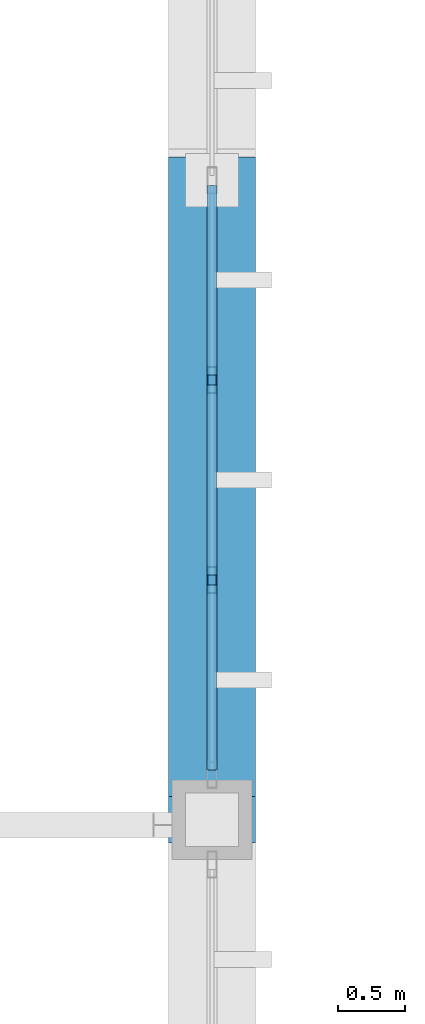
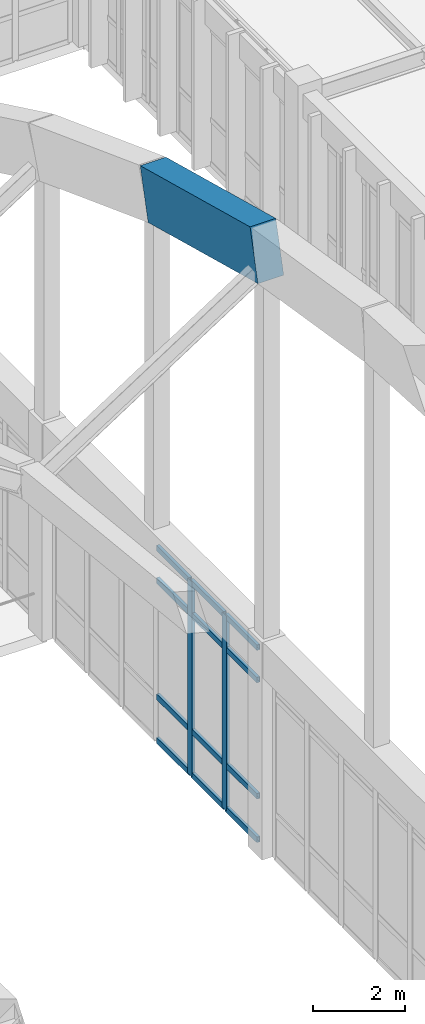
# One storey, part 153 of 236: 15 members, 1 element without a shape of its own.
"""IFC4 building model written with IfcOpenShell, lengths in metres."""

import ifcopenshell
import ifcopenshell.guid

model = None  # the IFC model being written
_history = None  # IfcOwnerHistory: only IFC2X3 demands one
_inside = {}  # id of a spatial element -> (the spatial element, [elements in it])
_under = {}  # id of a project, library or spatial element -> (it, [spatial elements below it])
_declared = {}  # id of a project -> (the project, [libraries it declares])
_typed = {}  # id of a type object -> (the type object, [elements of that type])
_made_of = {}  # id of a material, layer set ... -> (it, [elements and type objects made of it])


def new_model(schema):
    """Start an empty IFC model of exactly this schema.

    Asked for "IFC4X3", IfcOpenShell would pick the latest addendum, in which some entities
    have other attributes; the version numbers below select the first issue.
    IFC2X3 requires an IfcOwnerHistory on every rooted entity: one is made here for all.
    """
    global model, _history
    if schema == "IFC4X3":
        model = ifcopenshell.file(schema_version=(4, 3, 0, 0))
    else:
        model = ifcopenshell.file(schema=schema)
    _inside.clear()
    _under.clear()
    _declared.clear()
    _typed.clear()
    _made_of.clear()
    _history = None
    if model.schema == "IFC2X3":
        org = make("IfcOrganization", Name="unknown")
        user = make(
            "IfcPersonAndOrganization",
            ThePerson=make("IfcPerson", FamilyName="unknown"),
            TheOrganization=org,
        )
        app = make(
            "IfcApplication",
            ApplicationDeveloper=org,
            Version="unknown",
            ApplicationFullName="unknown",
            ApplicationIdentifier="unknown",
        )
        _history = make(
            "IfcOwnerHistory",
            OwningUser=user,
            OwningApplication=app,
            ChangeAction="ADDED",
            CreationDate=0,
        )
    return model


def make(cls, **values):
    """One entity of the class cls with the attributes given. An attribute that is None is left unset."""
    return model.create_entity(
        cls, **{name: value for name, value in values.items() if value is not None}
    )


def rooted(cls, **values):
    """An entity with a GlobalId (a new one), such as an element, a storey or a relation."""
    return make(cls, GlobalId=ifcopenshell.guid.new(), OwnerHistory=_history, **values)


def si_unit(unit_type, name, prefix=None):
    """IfcSIUnit, for example si_unit("LENGTHUNIT", "METRE", prefix="MILLI")."""
    return make("IfcSIUnit", UnitType=unit_type, Prefix=prefix, Name=name)


def assignment(units):
    """IfcUnitAssignment: the units of a project."""
    return None if units is None else make("IfcUnitAssignment", Units=units)


def point(xyz):
    """IfcCartesianPoint."""
    return None if xyz is None else make("IfcCartesianPoint", Coordinates=xyz)


def direction(xyz):
    """IfcDirection."""
    return None if xyz is None else make("IfcDirection", DirectionRatios=xyz)


def frame(location, z_axis=None, x_axis=None):
    """IfcAxis2Placement3D, a coordinate frame: its origin and axes. An axis left out is left unset."""
    return make(
        "IfcAxis2Placement3D",
        Location=point(location),
        Axis=direction(z_axis),
        RefDirection=direction(x_axis),
    )


def frame_2d(location, x_axis=None):
    """IfcAxis2Placement2D, a coordinate frame in the plane: its origin and x axis."""
    return make(
        "IfcAxis2Placement2D", Location=point(location), RefDirection=direction(x_axis)
    )


def origin():
    """The frame at (0, 0, 0) with its axes left unset."""
    return frame((0.0, 0.0, 0.0))


def origin_2d():
    """The frame at (0, 0) in the plane with its x axis left unset."""
    return frame_2d((0.0, 0.0))


def place(relative_to, where):
    """IfcLocalPlacement: puts the frame where relative to a parent placement (None: the world)."""
    return make(
        "IfcLocalPlacement", PlacementRelTo=relative_to, RelativePlacement=where
    )


def context(
    kind, dimensions, precision=None, world=None, true_north=None, identifier=None
):
    """IfcGeometricRepresentationContext, for example the 3D "Model" context."""
    return make(
        "IfcGeometricRepresentationContext",
        ContextIdentifier=identifier,
        ContextType=kind,
        CoordinateSpaceDimension=dimensions,
        Precision=precision,
        WorldCoordinateSystem=world,
        TrueNorth=true_north,
    )


def subcontext(parent, identifier, kind, view, scale=None):
    """IfcGeometricRepresentationSubContext, for example "Body" below "Model"."""
    return make(
        "IfcGeometricRepresentationSubContext",
        ContextIdentifier=identifier,
        ContextType=kind,
        ParentContext=parent,
        TargetScale=scale,
        TargetView=view,
    )


def project(units=None, contexts=None):
    """IfcProject with its units and contexts."""
    return rooted(
        "IfcProject",
        Name="project",
        RepresentationContexts=contexts,
        UnitsInContext=assignment(units),
    )


def spatial(cls, under=None, at=None, **own):
    """A site, building, storey or space (cls), placed at a placement, below another one or the project."""
    s = rooted(cls, ObjectPlacement=at, **own)
    if under is not None:
        _under.setdefault(under.id(), (under, []))[1].append(s)
    return s


def profile(cls, at=None, kind="AREA", **sizes):
    """A parametric profile (cls). Its sizes go by their IFC names, for example OverallWidth=200.0."""
    return make(cls, ProfileType=kind, Position=at, **sizes)


def rectangle(**sizes):
    """IfcRectangleProfileDef."""
    return profile("IfcRectangleProfileDef", **sizes)


def hollow_rectangle(**sizes):
    """IfcRectangleHollowProfileDef."""
    return profile("IfcRectangleHollowProfileDef", **sizes)


def extrude(swept, where, along, depth):
    """IfcExtrudedAreaSolid: the profile swept, set in the frame where, extruded along a direction by depth."""
    return make(
        "IfcExtrudedAreaSolid",
        SweptArea=swept,
        Position=where,
        ExtrudedDirection=direction(along),
        Depth=depth,
    )


def shape(context_of_items, identifier, shape_type, items):
    """IfcShapeRepresentation: the items that make up one representation, for example the "Body"."""
    return make(
        "IfcShapeRepresentation",
        ContextOfItems=context_of_items,
        RepresentationIdentifier=identifier,
        RepresentationType=shape_type,
        Items=items,
    )


def material(Name=None, Category=None):
    """IfcMaterial."""
    return make("IfcMaterial", Name=Name, Category=Category)


def layer(
    of_material, thickness, ventilated=None, Name=None, Category=None, Priority=None
):
    """IfcMaterialLayer: one layer of a wall or slab, of a material (None: an air gap)."""
    return make(
        "IfcMaterialLayer",
        Material=of_material,
        LayerThickness=thickness,
        IsVentilated=ventilated,
        Name=Name,
        Category=Category,
        Priority=Priority,
    )


def layer_set(layers, Name=None):
    """IfcMaterialLayerSet."""
    return make("IfcMaterialLayerSet", MaterialLayers=layers, LayerSetName=Name)


def material_profile(
    of_material, cross_section, Name=None, Category=None, Priority=None
):
    """IfcMaterialProfile: a cross section and its material."""
    return make(
        "IfcMaterialProfile",
        Name=Name,
        Material=of_material,
        Profile=cross_section,
        Priority=Priority,
        Category=Category,
    )


def profile_set(profiles, Name=None, composite=None):
    """IfcMaterialProfileSet."""
    return make(
        "IfcMaterialProfileSet",
        Name=Name,
        MaterialProfiles=profiles,
        CompositeProfile=composite,
    )


def made_of(thing, what):
    """Note that an element or type object is made of a material, layer set ...; save() writes the relation."""
    if what is not None:
        _made_of.setdefault(what.id(), (what, []))[1].append(thing)
    return thing


def type_object(cls, material=None, **own):
    """A type object (cls), such as IfcWallType, which elements share."""
    return made_of(rooted(cls, **own), material)


def element(
    cls,
    number,
    at=None,
    inside=None,
    cuts=None,
    type_object=None,
    material=None,
    context=None,
    identifier="Body",
    shape_type=None,
    held_by="IfcProductDefinitionShape",
    body=None,
    shapes=None,
    **own,
):
    """One element of the class cls, such as IfcWall. Its Tag is "e" and its number.

    at: its placement. inside: the storey or other place that contains it. cuts: it is an
    opening in that element (IfcRelVoidsElement). A single representation is given by context,
    identifier, shape_type and body (its items); several are given by shapes. held_by: the class
    of the entity that holds the representations. save() writes the other relations.
    """
    e = rooted(cls, Tag="e%d" % number, ObjectPlacement=at, **own)
    if body is not None:
        shapes = [shape(context, identifier, shape_type, body)]
    if shapes is not None:
        e.Representation = make(held_by, Representations=shapes)
    if inside is not None:
        _inside.setdefault(inside.id(), (inside, []))[1].append(e)
    if cuts is not None:
        rooted(
            "IfcRelVoidsElement", RelatingBuildingElement=cuts, RelatedOpeningElement=e
        )
    if type_object is not None:
        _typed.setdefault(type_object.id(), (type_object, []))[1].append(e)
    return made_of(e, material)


def aggregate(whole, parts):
    """IfcRelAggregates: a whole, such as a stair, and the parts it consists of."""
    return rooted("IfcRelAggregates", RelatingObject=whole, RelatedObjects=parts)


def save(model, path):
    """Write the relations noted so far, then the file.

    IfcRelAggregates (storeys below a building ...), IfcRelContainedInSpatialStructure (elements
    in a storey), IfcRelDefinesByType, IfcRelAssociatesMaterial and IfcRelDeclares: one each for
    every whole, place, type object, material and project.
    """
    for whole, parts in _under.values():
        aggregate(whole, parts)
    for where, things in _inside.values():
        rooted(
            "IfcRelContainedInSpatialStructure",
            RelatedElements=things,
            RelatingStructure=where,
        )
    for kind, things in _typed.values():
        rooted("IfcRelDefinesByType", RelatedObjects=things, RelatingType=kind)
    for what, things in _made_of.values():
        rooted("IfcRelAssociatesMaterial", RelatedObjects=things, RelatingMaterial=what)
    for by, libraries in _declared.values():
        rooted("IfcRelDeclares", RelatingContext=by, RelatedDefinitions=libraries)
    model.write(path)


model = new_model("IFC4")

# Units and contexts
model_context = context("Model", 3, precision=1e-05, world=origin(), true_north=direction((0.0, 1.0)))
body_context = subcontext(model_context, "Body", "Model", "MODEL_VIEW")
ifc_project = project(units=[si_unit("LENGTHUNIT", "METRE"), si_unit("AREAUNIT", "SQUARE_METRE"), si_unit("VOLUMEUNIT", "CUBIC_METRE"), si_unit("PLANEANGLEUNIT", "RADIAN"), si_unit("MASSUNIT", "GRAM", prefix="KILO")], contexts=[model_context])

# Site, building, storey
site_placement = place(None, origin())
site = spatial("IfcSite", under=ifc_project, at=site_placement, CompositionType="ELEMENT")
building_placement = place(site_placement, origin())
building = spatial("IfcBuilding", under=site, at=building_placement, Name="Pandanus Reach Market Hall", CompositionType="ELEMENT")
storey_placement = place(building_placement, frame((0.0, 0.0, 5.39990234375)))
storey = spatial("IfcBuildingStorey", under=building, at=storey_placement, Name="L01", CompositionType="ELEMENT", Elevation=5.39990234375)

# Member
ifc_material_1 = material(Name="Concrete N50 (50 MPa)", Category="concrete")
ifc_material_profile_1 = material_profile(ifc_material_1, rectangle(XDim=0.64990234375, YDim=1.35009765625, at=origin_2d()), Name="RC650x1350", Category="LoadBearing")
ifc_profile_set_1 = profile_set([ifc_material_profile_1], Name="Concrete N50 (50 MPa)")
member_type_1 = type_object("IfcMemberType", Name="AR-RC650-E", PredefinedType="CHORD", material=ifc_profile_set_1)
member_1_placement = place(storey_placement, frame((132.0, 67.199951171875, 15.9580078125), z_axis=(0.0, 0.966344166189, -0.257252701584), x_axis=(-1.0, 0.0, 0.0)))
element("IfcMember", 1, at=member_1_placement, inside=storey, type_object=member_type_1, Name="Parabolic arch top chord A8.9", PredefinedType="CHORD", context=body_context, shape_type="SweptSolid", body=[
    extrude(rectangle(XDim=0.64990234375, YDim=1.35009765625, at=origin_2d()), origin(), (0.0, 0.0, 1.0), 4.96728515625),
])

# Curtain wall, members
ifc_material_2 = material(Name="Bronze anodised aluminium and low-E glass", Category="aluminium")
ifc_layer = layer(ifc_material_2, 0.199951171875, Name="CW-05")
ifc_layer_set = layer_set([ifc_layer], Name="Bronze anodised aluminium and low-E glass")
curtain_wall_type = type_object("IfcCurtainWallType", Name="CW-05", PredefinedType="NOTDEFINED", material=ifc_layer_set)
curtain_wall_placement = place(storey_placement, origin())
curtain_wall = element("IfcCurtainWall", 2, at=curtain_wall_placement, inside=storey, type_object=curtain_wall_type, Name="Glazed curtain wall CW-05 CW-0033", PredefinedType="NOTDEFINED")
ifc_material_3 = material(Name="Bronze anodised aluminium", Category="aluminium")
ifc_material_profile_2 = material_profile(ifc_material_3, hollow_rectangle(XDim=0.074951171875, YDim=0.199951171875, WallThickness=0.00439453125, at=origin_2d()), Name="ALU75x200", Category="LoadBearing")
ifc_profile_set_2 = profile_set([ifc_material_profile_2], Name="Bronze anodised aluminium")
member_type_2 = type_object("IfcMemberType", Name="CW-M2", PredefinedType="MULLION", material=ifc_profile_set_2)
member_2_placement = place(storey_placement, frame((132.0, 69.0, 0.0), z_axis=(0.0, 0.0, 1.0), x_axis=(-1.0, 0.0, 0.0)))
member_2 = element("IfcMember", 3, at=member_2_placement, type_object=member_type_2, Name="CW-05 mullion 2", PredefinedType="MULLION", context=body_context, shape_type="SweptSolid", body=[
    extrude(hollow_rectangle(XDim=0.074951171875, YDim=0.199951171875, WallThickness=0.00439453125, at=origin_2d()), origin(), (0.0, 0.0, 1.0), 5.2001953125),
])
member_3_placement = place(storey_placement, frame((132.0, 70.5, 0.0), z_axis=(0.0, 0.0, 1.0), x_axis=(-1.0, 0.0, 0.0)))
member_3 = element("IfcMember", 4, at=member_3_placement, type_object=member_type_2, Name="CW-05 mullion 3", PredefinedType="MULLION", context=body_context, shape_type="SweptSolid", body=[
    extrude(hollow_rectangle(XDim=0.074951171875, YDim=0.199951171875, WallThickness=0.00439453125, at=origin_2d()), origin(), (0.0, 0.0, 1.0), 5.2001953125),
])
ifc_material_profile_3 = material_profile(ifc_material_3, hollow_rectangle(XDim=0.074951171875, YDim=0.14990234375, WallThickness=0.00439453125, at=origin_2d()), Name="ALU75x150", Category="LoadBearing")
ifc_profile_set_3 = profile_set([ifc_material_profile_3], Name="Bronze anodised aluminium")
member_type_3 = type_object("IfcMemberType", Name="CW-T2", PredefinedType="USERDEFINED", material=ifc_profile_set_3)
member_4_placement = place(storey_placement, frame((132.0, 67.574951171875, 0.03759765625), z_axis=(0.0, 1.0, 0.0), x_axis=(-1.0, 0.0, 0.0)))
member_4 = element("IfcMember", 5, at=member_4_placement, type_object=member_type_3, Name="CW-05 transom 1.1", ObjectType="TRANSOM", PredefinedType="USERDEFINED", context=body_context, shape_type="SweptSolid", body=[
    extrude(hollow_rectangle(XDim=0.074951171875, YDim=0.14990234375, WallThickness=0.00439453125, at=origin_2d()), origin(), (0.0, 0.0, 1.0), 1.387451171875),
])
member_5_placement = place(storey_placement, frame((132.0, 67.574951171875, 1.2001953125), z_axis=(0.0, 1.0, 0.0), x_axis=(-1.0, 0.0, 0.0)))
member_5 = element("IfcMember", 6, at=member_5_placement, type_object=member_type_3, Name="CW-05 transom 1.2", ObjectType="TRANSOM", PredefinedType="USERDEFINED", context=body_context, shape_type="SweptSolid", body=[
    extrude(hollow_rectangle(XDim=0.074951171875, YDim=0.14990234375, WallThickness=0.00439453125, at=origin_2d()), origin(), (0.0, 0.0, 1.0), 1.387451171875),
])
member_6_placement = place(storey_placement, frame((132.0, 67.574951171875, 4.300048828125), z_axis=(0.0, 1.0, 0.0), x_axis=(-1.0, 0.0, 0.0)))
member_6 = element("IfcMember", 7, at=member_6_placement, type_object=member_type_3, Name="CW-05 transom 1.3", ObjectType="TRANSOM", PredefinedType="USERDEFINED", context=body_context, shape_type="SweptSolid", body=[
    extrude(hollow_rectangle(XDim=0.074951171875, YDim=0.14990234375, WallThickness=0.00439453125, at=origin_2d()), origin(), (0.0, 0.0, 1.0), 1.387451171875),
])
member_7_placement = place(storey_placement, frame((132.0, 67.574951171875, 5.16259765625), z_axis=(0.0, 1.0, 0.0), x_axis=(-1.0, 0.0, 0.0)))
member_7 = element("IfcMember", 8, at=member_7_placement, type_object=member_type_3, Name="CW-05 transom 1.4", ObjectType="TRANSOM", PredefinedType="USERDEFINED", context=body_context, shape_type="SweptSolid", body=[
    extrude(hollow_rectangle(XDim=0.074951171875, YDim=0.14990234375, WallThickness=0.00439453125, at=origin_2d()), origin(), (0.0, 0.0, 1.0), 1.387451171875),
])
member_8_placement = place(storey_placement, frame((132.0, 69.03759765625, 0.03759765625), z_axis=(0.0, 1.0, 0.0), x_axis=(-1.0, 0.0, 0.0)))
member_8 = element("IfcMember", 9, at=member_8_placement, type_object=member_type_3, Name="CW-05 transom 2.1", ObjectType="TRANSOM", PredefinedType="USERDEFINED", context=body_context, shape_type="SweptSolid", body=[
    extrude(hollow_rectangle(XDim=0.074951171875, YDim=0.14990234375, WallThickness=0.00439453125, at=origin_2d()), origin(), (0.0, 0.0, 1.0), 1.4248046875),
])
member_9_placement = place(storey_placement, frame((132.0, 69.03759765625, 1.2001953125), z_axis=(0.0, 1.0, 0.0), x_axis=(-1.0, 0.0, 0.0)))
member_9 = element("IfcMember", 10, at=member_9_placement, type_object=member_type_3, Name="CW-05 transom 2.2", ObjectType="TRANSOM", PredefinedType="USERDEFINED", context=body_context, shape_type="SweptSolid", body=[
    extrude(hollow_rectangle(XDim=0.074951171875, YDim=0.14990234375, WallThickness=0.00439453125, at=origin_2d()), origin(), (0.0, 0.0, 1.0), 1.4248046875),
])
member_10_placement = place(storey_placement, frame((132.0, 69.03759765625, 4.300048828125), z_axis=(0.0, 1.0, 0.0), x_axis=(-1.0, 0.0, 0.0)))
member_10 = element("IfcMember", 11, at=member_10_placement, type_object=member_type_3, Name="CW-05 transom 2.3", ObjectType="TRANSOM", PredefinedType="USERDEFINED", context=body_context, shape_type="SweptSolid", body=[
    extrude(hollow_rectangle(XDim=0.074951171875, YDim=0.14990234375, WallThickness=0.00439453125, at=origin_2d()), origin(), (0.0, 0.0, 1.0), 1.4248046875),
])
member_11_placement = place(storey_placement, frame((132.0, 69.03759765625, 5.16259765625), z_axis=(0.0, 1.0, 0.0), x_axis=(-1.0, 0.0, 0.0)))
member_11 = element("IfcMember", 12, at=member_11_placement, type_object=member_type_3, Name="CW-05 transom 2.4", ObjectType="TRANSOM", PredefinedType="USERDEFINED", context=body_context, shape_type="SweptSolid", body=[
    extrude(hollow_rectangle(XDim=0.074951171875, YDim=0.14990234375, WallThickness=0.00439453125, at=origin_2d()), origin(), (0.0, 0.0, 1.0), 1.4248046875),
])
member_12_placement = place(storey_placement, frame((132.0, 70.53759765625, 0.03759765625), z_axis=(0.0, 1.0, 0.0), x_axis=(-1.0, 0.0, 0.0)))
member_12 = element("IfcMember", 13, at=member_12_placement, type_object=member_type_3, Name="CW-05 transom 3.1", ObjectType="TRANSOM", PredefinedType="USERDEFINED", context=body_context, shape_type="SweptSolid", body=[
    extrude(hollow_rectangle(XDim=0.074951171875, YDim=0.14990234375, WallThickness=0.00439453125, at=origin_2d()), origin(), (0.0, 0.0, 1.0), 1.4248046875),
])
member_13_placement = place(storey_placement, frame((132.0, 70.53759765625, 1.2001953125), z_axis=(0.0, 1.0, 0.0), x_axis=(-1.0, 0.0, 0.0)))
member_13 = element("IfcMember", 14, at=member_13_placement, type_object=member_type_3, Name="CW-05 transom 3.2", ObjectType="TRANSOM", PredefinedType="USERDEFINED", context=body_context, shape_type="SweptSolid", body=[
    extrude(hollow_rectangle(XDim=0.074951171875, YDim=0.14990234375, WallThickness=0.00439453125, at=origin_2d()), origin(), (0.0, 0.0, 1.0), 1.4248046875),
])
member_14_placement = place(storey_placement, frame((132.0, 70.53759765625, 4.300048828125), z_axis=(0.0, 1.0, 0.0), x_axis=(-1.0, 0.0, 0.0)))
member_14 = element("IfcMember", 15, at=member_14_placement, type_object=member_type_3, Name="CW-05 transom 3.3", ObjectType="TRANSOM", PredefinedType="USERDEFINED", context=body_context, shape_type="SweptSolid", body=[
    extrude(hollow_rectangle(XDim=0.074951171875, YDim=0.14990234375, WallThickness=0.00439453125, at=origin_2d()), origin(), (0.0, 0.0, 1.0), 1.4248046875),
])
member_15_placement = place(storey_placement, frame((132.0, 70.53759765625, 5.16259765625), z_axis=(0.0, 1.0, 0.0), x_axis=(-1.0, 0.0, 0.0)))
member_15 = element("IfcMember", 16, at=member_15_placement, type_object=member_type_3, Name="CW-05 transom 3.4", ObjectType="TRANSOM", PredefinedType="USERDEFINED", context=body_context, shape_type="SweptSolid", body=[
    extrude(hollow_rectangle(XDim=0.074951171875, YDim=0.14990234375, WallThickness=0.00439453125, at=origin_2d()), origin(), (0.0, 0.0, 1.0), 1.4248046875),
])
aggregate(curtain_wall, [member_2, member_3, member_4, member_5, member_6, member_7, member_8, member_9, member_10, member_11, member_12, member_13, member_14, member_15])

save(model, "model.ifc")
